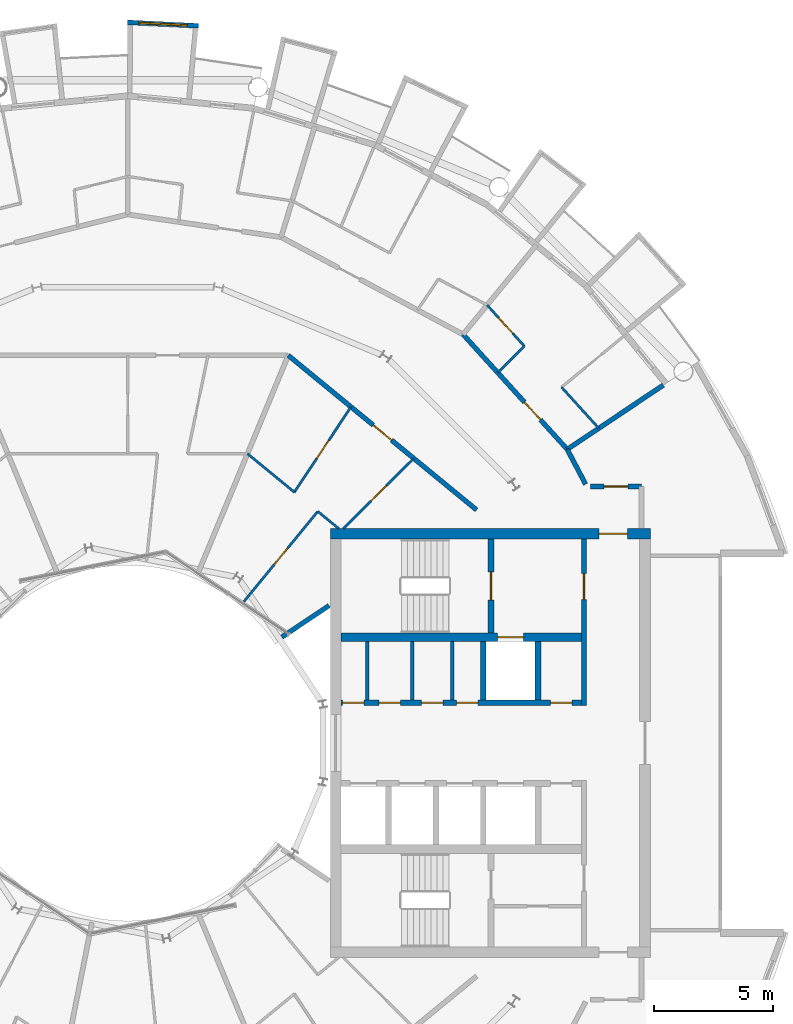
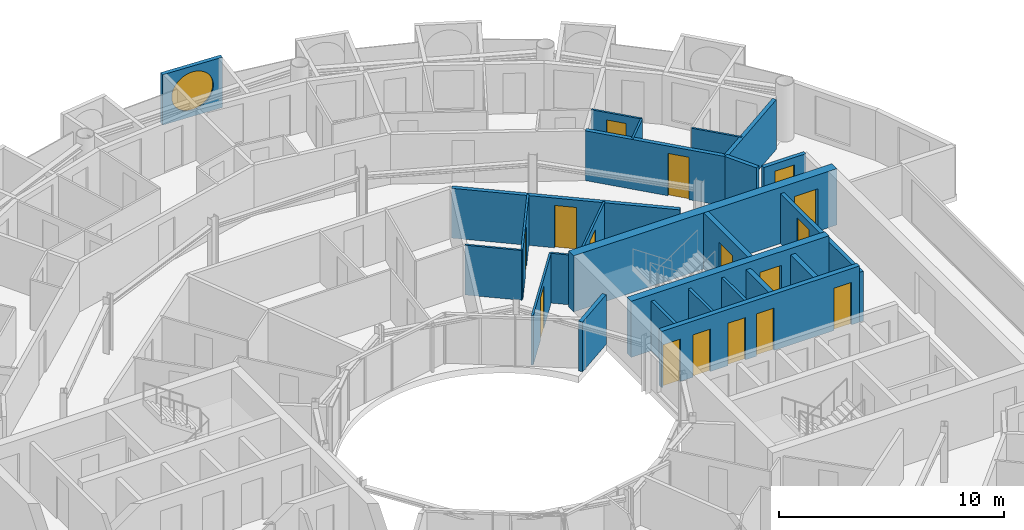
# One storey, part 23 of 29: 25 walls, 16 doors, 1 window, 17 openings.
"""IFC4 building model written with IfcOpenShell, lengths in metres."""

from ifc_helpers import new_model, si_unit, direction, frame, frame_2d, origin, place, context, subcontext, project, spatial, rectangle, circle, extrude, material, layer, layer_set, type_object, element, fill, save


model = new_model("IFC4")

# Units and contexts
model_context = context("Model", 3, precision=1e-05, world=origin(), true_north=direction((0.0, 1.0)))
body_context = subcontext(model_context, "Body", "Model", "MODEL_VIEW")
ifc_project = project(units=[si_unit("LENGTHUNIT", "METRE"), si_unit("AREAUNIT", "SQUARE_METRE"), si_unit("VOLUMEUNIT", "CUBIC_METRE"), si_unit("PLANEANGLEUNIT", "RADIAN"), si_unit("MASSUNIT", "GRAM", prefix="KILO")], contexts=[model_context])

# Site, building, storey
site_placement = place(None, origin())
site = spatial("IfcSite", under=ifc_project, at=site_placement, CompositionType="ELEMENT")
building_placement = place(site_placement, origin())
building = spatial("IfcBuilding", under=site, at=building_placement, Name="Maasbend Ring Residences", CompositionType="ELEMENT")
storey_placement = place(building_placement, frame((0.0, 0.0, 212.699951171875)))
storey = spatial("IfcBuildingStorey", under=building, at=storey_placement, Name="L61", CompositionType="ELEMENT", Elevation=212.699951171875)

# Wall, openings, doors
ifc_material_1 = material(Name="Concrete C50/60", Category="concrete")
ifc_layer_1 = layer(ifc_material_1, 0.25)
ifc_layer_set_1 = layer_set([ifc_layer_1], Name="Concrete C50/60")
wall_type_1 = type_object("IfcWallType", Name="CORE WALL 250 C50/60", PredefinedType="SHEAR", material=ifc_layer_set_1)
wall_1_placement = place(storey_placement, frame((9.0, 1.699951171875, 0.0), z_axis=(0.0, 0.0, 1.0), x_axis=(1.0, 0.0, 0.0)))
wall_1 = element("IfcWall", 1, at=wall_1_placement, inside=storey, type_object=wall_type_1, Name="L61 core E wall SPN", PredefinedType="SHEAR", context=body_context, shape_type="SweptSolid", body=[
    extrude(rectangle(XDim=10.14990234375, YDim=0.25, at=frame_2d((5.074951171875, 0.0))), origin(), (0.0, 0.0, 1.0), 3.050048828125),
])
opening_1_placement = place(wall_1_placement, frame((0.0625, 0.0, 0.0)))
opening_1 = element("IfcOpeningElement", 2, at=opening_1_placement, cuts=wall_1, Name="Opening D-E6106", PredefinedType="OPENING", context=body_context, shape_type="SweptSolid", body=[
    extrude(rectangle(XDim=0.89990234375, YDim=2.300048828125, at=frame_2d((0.449951171875, 1.14990234375))), frame((0.0, 0.135009765625, 0.0), z_axis=(0.0, -1.0, 0.0), x_axis=(1.0, 0.0, 0.0)), (0.0, 0.0, 1.0), 0.27001953125),
])
opening_2_placement = place(wall_1_placement, frame((1.60009765625, 0.0, 0.0)))
opening_2 = element("IfcOpeningElement", 3, at=opening_2_placement, cuts=wall_1, Name="Opening D-E6107", PredefinedType="OPENING", context=body_context, shape_type="SweptSolid", body=[
    extrude(rectangle(XDim=0.89990234375, YDim=2.300048828125, at=frame_2d((0.449951171875, 1.14990234375))), frame((0.0, 0.135009765625, 0.0), z_axis=(0.0, -1.0, 0.0), x_axis=(1.0, 0.0, 0.0)), (0.0, 0.0, 1.0), 0.27001953125),
])
opening_3_placement = place(wall_1_placement, frame((3.39990234375, 0.0, 0.0)))
opening_3 = element("IfcOpeningElement", 4, at=opening_3_placement, cuts=wall_1, Name="Opening D-E6108", PredefinedType="OPENING", context=body_context, shape_type="SweptSolid", body=[
    extrude(rectangle(XDim=0.89990234375, YDim=2.300048828125, at=frame_2d((0.449951171875, 1.14990234375))), frame((0.0, 0.135009765625, 0.0), z_axis=(0.0, -1.0, 0.0), x_axis=(1.0, 0.0, 0.0)), (0.0, 0.0, 1.0), 0.27001953125),
])
opening_4_placement = place(wall_1_placement, frame((4.875, 0.0, 0.0)))
opening_4 = element("IfcOpeningElement", 5, at=opening_4_placement, cuts=wall_1, Name="Opening D-E6109", PredefinedType="OPENING", context=body_context, shape_type="SweptSolid", body=[
    extrude(rectangle(XDim=0.89990234375, YDim=2.300048828125, at=frame_2d((0.449951171875, 1.14990234375))), frame((0.0, 0.135009765625, 0.0), z_axis=(0.0, -1.0, 0.0), x_axis=(1.0, 0.0, 0.0)), (0.0, 0.0, 1.0), 0.27001953125),
])
opening_5_placement = place(wall_1_placement, frame((8.83740234375, 0.0, 0.0)))
opening_5 = element("IfcOpeningElement", 6, at=opening_5_placement, cuts=wall_1, Name="Opening D-E6110", PredefinedType="OPENING", context=body_context, shape_type="SweptSolid", body=[
    extrude(rectangle(XDim=0.89990234375, YDim=2.300048828125, at=frame_2d((0.449951171875, 1.14990234375))), frame((0.0, 0.135009765625, 0.0), z_axis=(0.0, -1.0, 0.0), x_axis=(1.0, 0.0, 0.0)), (0.0, 0.0, 1.0), 0.27001953125),
])
ifc_material_2 = material(Name="Steel, powder coated", Category="steel")
door_type_1 = type_object("IfcDoorType", Name="ROOM DOOR 900 X 2300 FD30S", OperationType="NOTDEFINED", PredefinedType="DOOR", material=ifc_material_2)
door_1_placement = place(opening_1_placement, origin())
door_1 = element("IfcDoor", 7, at=door_1_placement, inside=storey, type_object=door_type_1, Name="Room door L61", OperationType="SINGLE_SWING_RIGHT", OverallHeight=2.300048828125, OverallWidth=0.89990234375, PredefinedType="DOOR", context=body_context, shape_type="SweptSolid", body=[
    extrude(rectangle(XDim=0.89990234375, YDim=2.300048828125, at=frame_2d((0.449951171875, 1.14990234375))), frame((0.0, 0.02490234375, 0.0), z_axis=(0.0, -1.0, 0.0), x_axis=(1.0, 0.0, 0.0)), (0.0, 0.0, 1.0), 0.050048828125),
])
fill(opening_1, door_1)
door_2_placement = place(opening_2_placement, origin())
door_2 = element("IfcDoor", 8, at=door_2_placement, inside=storey, type_object=door_type_1, Name="Room door L61", OperationType="SINGLE_SWING_RIGHT", OverallHeight=2.300048828125, OverallWidth=0.89990234375, PredefinedType="DOOR", context=body_context, shape_type="SweptSolid", body=[
    extrude(rectangle(XDim=0.89990234375, YDim=2.300048828125, at=frame_2d((0.449951171875, 1.14990234375))), frame((0.0, 0.02490234375, 0.0), z_axis=(0.0, -1.0, 0.0), x_axis=(1.0, 0.0, 0.0)), (0.0, 0.0, 1.0), 0.050048828125),
])
fill(opening_2, door_2)
door_3_placement = place(opening_3_placement, origin())
door_3 = element("IfcDoor", 9, at=door_3_placement, inside=storey, type_object=door_type_1, Name="Room door L61", OperationType="SINGLE_SWING_RIGHT", OverallHeight=2.300048828125, OverallWidth=0.89990234375, PredefinedType="DOOR", context=body_context, shape_type="SweptSolid", body=[
    extrude(rectangle(XDim=0.89990234375, YDim=2.300048828125, at=frame_2d((0.449951171875, 1.14990234375))), frame((0.0, 0.02490234375, 0.0), z_axis=(0.0, -1.0, 0.0), x_axis=(1.0, 0.0, 0.0)), (0.0, 0.0, 1.0), 0.050048828125),
])
fill(opening_3, door_3)
door_4_placement = place(opening_4_placement, origin())
door_4 = element("IfcDoor", 10, at=door_4_placement, inside=storey, type_object=door_type_1, Name="Room door L61", OperationType="SINGLE_SWING_LEFT", OverallHeight=2.300048828125, OverallWidth=0.89990234375, PredefinedType="DOOR", context=body_context, shape_type="SweptSolid", body=[
    extrude(rectangle(XDim=0.89990234375, YDim=2.300048828125, at=frame_2d((0.449951171875, 1.14990234375))), frame((0.0, 0.02490234375, 0.0), z_axis=(0.0, -1.0, 0.0), x_axis=(1.0, 0.0, 0.0)), (0.0, 0.0, 1.0), 0.050048828125),
])
fill(opening_4, door_4)
door_5_placement = place(opening_5_placement, origin())
door_5 = element("IfcDoor", 11, at=door_5_placement, inside=storey, type_object=door_type_1, Name="Room door L61", OperationType="SINGLE_SWING_LEFT", OverallHeight=2.300048828125, OverallWidth=0.89990234375, PredefinedType="DOOR", context=body_context, shape_type="SweptSolid", body=[
    extrude(rectangle(XDim=0.89990234375, YDim=2.300048828125, at=frame_2d((0.449951171875, 1.14990234375))), frame((0.0, 0.02490234375, 0.0), z_axis=(0.0, -1.0, 0.0), x_axis=(1.0, 0.0, 0.0)), (0.0, 0.0, 1.0), 0.050048828125),
])
fill(opening_5, door_5)

# Wall, opening, door
wall_2_placement = place(storey_placement, frame((15.324951171875, 4.64990234375, 0.0), z_axis=(0.0, 0.0, 1.0), x_axis=(0.0, 1.0, 0.0)))
wall_2 = element("IfcWall", 12, at=wall_2_placement, inside=storey, type_object=wall_type_1, Name="L61 core E wall STEN", PredefinedType="SHEAR", context=body_context, shape_type="SweptSolid", body=[
    extrude(rectangle(XDim=3.9501953125, YDim=0.25, at=frame_2d((1.97509765625, 0.0))), origin(), (0.0, 0.0, 1.0), 3.050048828125),
])
opening_6_placement = place(wall_2_placement, frame((1.375, 0.0, 0.0)))
opening_6 = element("IfcOpeningElement", 13, at=opening_6_placement, cuts=wall_2, Name="Opening D-E6113", PredefinedType="OPENING", context=body_context, shape_type="SweptSolid", body=[
    extrude(rectangle(XDim=1.199951171875, YDim=2.300048828125, at=frame_2d((0.60009765625, 1.14990234375))), frame((0.0, 0.135009765625, 0.0), z_axis=(0.0, -1.0, 0.0), x_axis=(1.0, 0.0, 0.0)), (0.0, 0.0, 1.0), 0.27001953125),
])
ifc_material_3 = material(Name="Steel, powder coated", Category="steel")
door_type_2 = type_object("IfcDoorType", Name="STAIR DOOR 1200 X 2300 FD60", OperationType="NOTDEFINED", PredefinedType="DOOR", material=ifc_material_3)
door_6_placement = place(opening_6_placement, origin())
door_6 = element("IfcDoor", 14, at=door_6_placement, inside=storey, type_object=door_type_2, Name="Stair door ST-E L61", OperationType="SINGLE_SWING_LEFT", OverallHeight=2.300048828125, OverallWidth=1.199951171875, PredefinedType="DOOR", context=body_context, shape_type="SweptSolid", body=[
    extrude(rectangle(XDim=1.199951171875, YDim=2.300048828125, at=frame_2d((0.60009765625, 1.14990234375))), frame((0.0, 0.02490234375, 0.0), z_axis=(0.0, -1.0, 0.0), x_axis=(1.0, 0.0, 0.0)), (0.0, 0.0, 1.0), 0.050048828125),
])
fill(opening_6, door_6)

ifc_material_4 = material(Name="Concrete C50/60", Category="concrete")
ifc_layer_2 = layer(ifc_material_4, 0.375)
ifc_layer_set_2 = layer_set([ifc_layer_2], Name="Concrete C50/60")
wall_type_2 = type_object("IfcWallType", Name="CORE WALL 375 C50/60", PredefinedType="SHEAR", material=ifc_layer_set_2)
wall_3_placement = place(storey_placement, frame((9.0, 4.46240234375, 0.0), z_axis=(0.0, 0.0, 1.0), x_axis=(1.0, 0.0, 0.0)))
wall_3 = element("IfcWall", 15, at=wall_3_placement, inside=storey, type_object=wall_type_2, Name="L61 core E wall BN", PredefinedType="SHEAR", context=body_context, shape_type="SweptSolid", body=[
    extrude(rectangle(XDim=10.14990234375, YDim=0.375, at=frame_2d((5.074951171875, 0.0))), origin(), (0.0, 0.0, 1.0), 3.050048828125),
])
opening_7_placement = place(wall_3_placement, frame((6.60009765625, 0.0, 0.0)))
opening_7 = element("IfcOpeningElement", 16, at=opening_7_placement, cuts=wall_3, Name="Opening LD-E6101", PredefinedType="OPENING", context=body_context, shape_type="SweptSolid", body=[
    extrude(rectangle(XDim=1.10009765625, YDim=2.300048828125, at=frame_2d((0.550048828125, 1.14990234375))), frame((0.0, 0.197509765625, 0.0), z_axis=(0.0, -1.0, 0.0), x_axis=(1.0, 0.0, 0.0)), (0.0, 0.0, 1.0), 0.39501953125),
])
ifc_material_5 = material(Name="Stainless steel 316", Category="steel")
door_type_3 = type_object("IfcDoorType", Name="LANDING DOOR 1100 X 2300 FD60", OperationType="DOUBLE_DOOR_SLIDING", PredefinedType="DOOR", material=ifc_material_5)
door_7_placement = place(opening_7_placement, origin())
door_7 = element("IfcDoor", 17, at=door_7_placement, inside=storey, type_object=door_type_3, Name="Landing door FF-E L61", OperationType="DOUBLE_DOOR_SLIDING", OverallHeight=2.300048828125, OverallWidth=1.10009765625, PredefinedType="DOOR", context=body_context, shape_type="SweptSolid", body=[
    extrude(rectangle(XDim=1.10009765625, YDim=2.300048828125, at=frame_2d((0.550048828125, 1.14990234375))), frame((0.0, 0.02490234375, 0.0), z_axis=(0.0, -1.0, 0.0), x_axis=(1.0, 0.0, 0.0)), (0.0, 0.0, 1.0), 0.050048828125),
])
fill(opening_7, door_7)

ifc_material_6 = material(Name="Concrete C50/60", Category="concrete")
ifc_layer_3 = layer(ifc_material_6, 0.449951171875)
ifc_layer_set_3 = layer_set([ifc_layer_3], Name="Concrete C50/60")
wall_type_3 = type_object("IfcWallType", Name="CORE WALL 450 C50/60", PredefinedType="SHEAR", material=ifc_layer_set_3)
wall_4_placement = place(storey_placement, frame((22.050048828125, 8.824951171875, 0.0), z_axis=(0.0, 0.0, 1.0), x_axis=(-1.0, 0.0, 0.0)))
wall_4 = element("IfcWall", 18, at=wall_4_placement, inside=storey, type_object=wall_type_3, Name="L61 core E wall PN", PredefinedType="SHEAR", context=body_context, shape_type="SweptSolid", body=[
    extrude(rectangle(XDim=13.5, YDim=0.449951171875, at=frame_2d((6.75, 0.0))), origin(), (0.0, 0.0, 1.0), 3.050048828125),
])
opening_8_placement = place(wall_4_placement, frame((0.97509765625, 0.0, 0.0)))
opening_8 = element("IfcOpeningElement", 19, at=opening_8_placement, cuts=wall_4, Name="Opening D-E6117", PredefinedType="OPENING", context=body_context, shape_type="SweptSolid", body=[
    extrude(rectangle(XDim=1.199951171875, YDim=2.300048828125, at=frame_2d((0.60009765625, 1.14990234375))), frame((0.0, 0.23486328125, 0.0), z_axis=(0.0, -1.0, 0.0), x_axis=(1.0, 0.0, 0.0)), (0.0, 0.0, 1.0), 0.469970703125),
])
ifc_material_7 = material(Name="Steel, powder coated", Category="steel")
door_type_4 = type_object("IfcDoorType", Name="CORRIDOR DOOR 1200 X 2300 FD30S", OperationType="NOTDEFINED", PredefinedType="DOOR", material=ifc_material_7)
door_8_placement = place(opening_8_placement, origin())
door_8 = element("IfcDoor", 20, at=door_8_placement, inside=storey, type_object=door_type_4, Name="Corridor door L61", OperationType="SINGLE_SWING_RIGHT", OverallHeight=2.300048828125, OverallWidth=1.199951171875, PredefinedType="DOOR", context=body_context, shape_type="SweptSolid", body=[
    extrude(rectangle(XDim=1.199951171875, YDim=2.300048828125, at=frame_2d((0.60009765625, 1.14990234375))), frame((0.0, 0.02490234375, 0.0), z_axis=(0.0, -1.0, 0.0), x_axis=(1.0, 0.0, 0.0)), (0.0, 0.0, 1.0), 0.050048828125),
])
fill(opening_8, door_8)

ifc_material_8 = material(Name="Concrete C30/37", Category="concrete")
ifc_layer_4 = layer(ifc_material_8, 0.199951171875)
ifc_layer_set_4 = layer_set([ifc_layer_4], Name="Concrete C30/37")
wall_type_4 = type_object("IfcWallType", Name="CORRIDOR WALL 200 CONCRETE", PredefinedType="PARTITIONING", material=ifc_layer_set_4)
wall_5_placement = place(storey_placement, frame((19.52294921875, 10.824951171875, 0.0), z_axis=(0.0, 0.0, 1.0), x_axis=(1.0, 0.0, 0.0)))
wall_5 = element("IfcWall", 21, at=wall_5_placement, inside=storey, type_object=wall_type_4, Name="U-L61-w100", PredefinedType="PARTITIONING", context=body_context, shape_type="SweptSolid", body=[
    extrude(rectangle(XDim=2.152099609375, YDim=0.199951171875, at=frame_2d((1.076171875, 0.0))), origin(), (0.0, 0.0, 1.0), 2.699951171875),
])
opening_9_placement = place(wall_5_placement, frame((0.575927734375, 0.0, 0.0)))
opening_9 = element("IfcOpeningElement", 22, at=opening_9_placement, cuts=wall_5, Name="Opening D-6171", PredefinedType="OPENING", context=body_context, shape_type="SweptSolid", body=[
    extrude(rectangle(XDim=1.0, YDim=2.300048828125, at=frame_2d((0.5, 1.14990234375))), frame((0.0, 0.10986328125, 0.0), z_axis=(0.0, -1.0, 0.0), x_axis=(1.0, 0.0, 0.0)), (0.0, 0.0, 1.0), 0.219970703125),
])
ifc_material_9 = material(Name="Timber, painted", Category="wood")
door_type_5 = type_object("IfcDoorType", Name="ROOM DOOR 1000 X 2300", OperationType="NOTDEFINED", PredefinedType="DOOR", material=ifc_material_9)
door_9_placement = place(opening_9_placement, origin())
door_9 = element("IfcDoor", 23, at=door_9_placement, inside=storey, type_object=door_type_5, Name="D-6171", OperationType="SINGLE_SWING_LEFT", OverallHeight=2.300048828125, OverallWidth=1.0, PredefinedType="DOOR", context=body_context, shape_type="SweptSolid", body=[
    extrude(rectangle(XDim=1.0, YDim=2.300048828125, at=frame_2d((0.5, 1.14990234375))), frame((0.0, 0.02490234375, 0.0), z_axis=(0.0, -1.0, 0.0), x_axis=(1.0, 0.0, 0.0)), (0.0, 0.0, 1.0), 0.050048828125),
])
fill(opening_9, door_9)

wall_6_placement = place(storey_placement, frame((6.77294921875, 16.35302734375, 0.0), z_axis=(0.0, 0.0, 1.0), x_axis=(0.773034536097, -0.634363938131, 0.0)))
wall_6 = element("IfcWall", 24, at=wall_6_placement, inside=storey, type_object=wall_type_4, Name="U-L61-w109", PredefinedType="PARTITIONING", context=body_context, shape_type="SweptSolid", body=[
    extrude(rectangle(XDim=10.276611328125, YDim=0.199951171875, at=frame_2d((5.13818359375, 0.0))), origin(), (0.0, 0.0, 1.0), 2.699951171875),
])
opening_10_placement = place(wall_6_placement, frame((4.637939453125, 0.0, 0.0)))
opening_10 = element("IfcOpeningElement", 25, at=opening_10_placement, cuts=wall_6, Name="Opening D-6123", PredefinedType="OPENING", context=body_context, shape_type="SweptSolid", body=[
    extrude(rectangle(XDim=1.0, YDim=2.300048828125, at=frame_2d((0.5, 1.14990234375))), frame((0.0, 0.10986328125, 0.0), z_axis=(0.0, -1.0, 0.0), x_axis=(1.0, 0.0, 0.0)), (0.0, 0.0, 1.0), 0.219970703125),
])
ifc_material_10 = material(Name="Timber, fire-rated, painted", Category="wood")
door_type_6 = type_object("IfcDoorType", Name="FLAT ENTRANCE DOOR 1000 X 2300 FIRE-RATED", OperationType="NOTDEFINED", PredefinedType="DOOR", material=ifc_material_10)
door_10_placement = place(opening_10_placement, origin())
door_10 = element("IfcDoor", 26, at=door_10_placement, inside=storey, type_object=door_type_6, Name="D-6123", OperationType="SINGLE_SWING_RIGHT", OverallHeight=2.300048828125, OverallWidth=1.0, PredefinedType="DOOR", context=body_context, shape_type="SweptSolid", body=[
    extrude(rectangle(XDim=1.0, YDim=2.300048828125, at=frame_2d((0.5, 1.14990234375))), frame((0.0, 0.02490234375, 0.0), z_axis=(0.0, -1.0, 0.0), x_axis=(1.0, 0.0, 0.0)), (0.0, 0.0, 1.0), 0.050048828125),
])
fill(opening_10, door_10)

wall_7_placement = place(storey_placement, frame((14.14697265625, 17.238037109375, 0.0), z_axis=(0.0, 0.0, 1.0), x_axis=(0.671561669125, -0.740948665268, 0.0)))
wall_7 = element("IfcWall", 27, at=wall_7_placement, inside=storey, type_object=wall_type_4, Name="U-L61-w116", PredefinedType="PARTITIONING", context=body_context, shape_type="SweptSolid", body=[
    extrude(rectangle(XDim=6.54443359375, YDim=0.199951171875, at=frame_2d((3.272216796875, 0.0))), origin(), (0.0, 0.0, 1.0), 2.699951171875),
])
opening_11_placement = place(wall_7_placement, frame((3.862060546875, 0.0, 0.0)))
opening_11 = element("IfcOpeningElement", 28, at=opening_11_placement, cuts=wall_7, Name="Opening D-6101", PredefinedType="OPENING", context=body_context, shape_type="SweptSolid", body=[
    extrude(rectangle(XDim=1.0, YDim=2.300048828125, at=frame_2d((0.5, 1.14990234375))), frame((0.0, 0.10986328125, 0.0), z_axis=(0.0, -1.0, 0.0), x_axis=(1.0, 0.0, 0.0)), (0.0, 0.0, 1.0), 0.219970703125),
])
door_11_placement = place(opening_11_placement, origin())
door_11 = element("IfcDoor", 29, at=door_11_placement, inside=storey, type_object=door_type_6, Name="D-6101", OperationType="SINGLE_SWING_RIGHT", OverallHeight=2.300048828125, OverallWidth=1.0, PredefinedType="DOOR", context=body_context, shape_type="SweptSolid", body=[
    extrude(rectangle(XDim=1.0, YDim=2.300048828125, at=frame_2d((0.5, 1.14990234375))), frame((0.0, 0.02490234375, 0.0), z_axis=(0.0, -1.0, 0.0), x_axis=(1.0, 0.0, 0.0)), (0.0, 0.0, 1.0), 0.050048828125),
])
fill(opening_11, door_11)

# Wall
wall_8_placement = place(storey_placement, frame((18.5419921875, 12.388916015625, 0.0), z_axis=(0.0, 0.0, 1.0), x_axis=(0.465359652486, -0.885121683068, 0.0)))
element("IfcWall", 30, at=wall_8_placement, inside=storey, type_object=wall_type_4, Name="U-L61-w118", PredefinedType="PARTITIONING", context=body_context, shape_type="SweptSolid", body=[
    extrude(rectangle(XDim=1.665283203125, YDim=0.199951171875, at=frame_2d((0.83251953125, 0.0))), origin(), (0.0, 0.0, 1.0), 2.699951171875),
])

# Wall, opening, window
ifc_material_11 = material(Name="Pale anodised aluminium panel", Category="aluminium")
ifc_layer_5 = layer(ifc_material_11, 0.199951171875)
ifc_layer_set_5 = layer_set([ifc_layer_5], Name="EW-BOX")
wall_type_5 = type_object("IfcWallType", Name="EW-BOX", PredefinedType="SOLIDWALL", material=ifc_layer_set_5)
wall_9_placement = place(storey_placement, frame((2.985107421875, 30.2529296875, -0.030029296875), z_axis=(0.0, 0.0, 1.0), x_axis=(-0.998794083011, 0.049095618353, 0.0)))
wall_9 = element("IfcWall", 31, at=wall_9_placement, inside=storey, type_object=wall_type_5, Name="Box front N10", PredefinedType="SOLIDWALL", context=body_context, shape_type="SweptSolid", body=[
    extrude(rectangle(XDim=2.99365234375, YDim=0.199951171875, at=frame_2d((1.496826171875, 0.0))), origin(), (0.0, 0.0, 1.0), 2.72998046875),
])
opening_12_placement = place(wall_9_placement, frame((0.45654296875, 0.0, 0.330078125)))
opening_12 = element("IfcOpeningElement", 32, at=opening_12_placement, cuts=wall_9, Name="Opening W-RD", PredefinedType="OPENING", context=body_context, shape_type="SweptSolid", body=[
    extrude(circle(Radius=1.0400390625, at=frame_2d((1.0400390625, 1.0400390625))), frame((0.0, 0.10986328125, 0.0), z_axis=(0.0, -1.0, 0.0), x_axis=(1.0, 0.0, 0.0)), (0.0, 0.0, 1.0), 0.219970703125),
])
ifc_material_12 = material(Name="Aluminium and clear glass", Category="aluminium")
window_type = type_object("IfcWindowType", Name="W-RD", PartitioningType="SINGLE_PANEL", PredefinedType="WINDOW", material=ifc_material_12)
window_placement = place(opening_12_placement, origin())
window = element("IfcWindow", 33, at=window_placement, inside=storey, type_object=window_type, Name="Round window N10", OverallHeight=2.080078125, OverallWidth=2.080078125, PartitioningType="SINGLE_PANEL", PredefinedType="WINDOW", context=body_context, shape_type="SweptSolid", body=[
    extrude(circle(Radius=1.0400390625, at=frame_2d((1.0400390625, 1.0400390625))), frame((0.0, 0.030029296875, 0.0), z_axis=(0.0, -1.0, 0.0), x_axis=(1.0, 0.0, 0.0)), (0.0, 0.0, 1.0), 0.06005859375),
])
fill(opening_12, window)

# Wall, opening, door
ifc_material_13 = material(Name="Gypsum board on steel studs", Category="steel")
ifc_layer_6 = layer(ifc_material_13, 0.10009765625)
ifc_layer_set_6 = layer_set([ifc_layer_6], Name="PARTITION 100 GYPSUM")
wall_type_6 = type_object("IfcWallType", Name="PARTITION 100 GYPSUM", PredefinedType="PARTITIONING", material=ifc_layer_set_6)
wall_10_placement = place(storey_placement, frame((4.90087890625, 5.966064453125, 0.0), z_axis=(0.0, 0.0, 1.0), x_axis=(0.633851064378, 0.773455123577, 0.0)))
wall_10 = element("IfcWall", 34, at=wall_10_placement, inside=storey, type_object=wall_type_6, Name="U-L61-w036", PredefinedType="PARTITIONING", context=body_context, shape_type="SweptSolid", body=[
    extrude(rectangle(XDim=4.91943359375, YDim=0.10009765625, at=frame_2d((2.459716796875, 0.0))), origin(), (0.0, 0.0, 1.0), 2.699951171875),
])
opening_13_placement = place(wall_10_placement, frame((2.009033203125, 0.0, 0.0)))
opening_13 = element("IfcOpeningElement", 35, at=opening_13_placement, cuts=wall_10, Name="Opening D-6126", PredefinedType="OPENING", context=body_context, shape_type="SweptSolid", body=[
    extrude(rectangle(XDim=0.89990234375, YDim=2.300048828125, at=frame_2d((0.449951171875, 1.14990234375))), frame((0.0, 0.06005859375, 0.0), z_axis=(0.0, -1.0, 0.0), x_axis=(1.0, 0.0, 0.0)), (0.0, 0.0, 1.0), 0.1201171875),
])
ifc_material_14 = material(Name="Timber, painted", Category="wood")
door_type_7 = type_object("IfcDoorType", Name="INTERNAL DOOR 900 X 2300", OperationType="NOTDEFINED", PredefinedType="DOOR", material=ifc_material_14)
door_12_placement = place(opening_13_placement, origin())
door_12 = element("IfcDoor", 36, at=door_12_placement, inside=storey, type_object=door_type_7, Name="D-6126", OperationType="SINGLE_SWING_LEFT", OverallHeight=2.300048828125, OverallWidth=0.89990234375, PredefinedType="DOOR", context=body_context, shape_type="SweptSolid", body=[
    extrude(rectangle(XDim=0.89990234375, YDim=2.300048828125, at=frame_2d((0.449951171875, 1.14990234375))), frame((0.0, 0.02490234375, 0.0), z_axis=(0.0, -1.0, 0.0), x_axis=(1.0, 0.0, 0.0)), (0.0, 0.0, 1.0), 0.050048828125),
])
fill(opening_13, door_12)

wall_11_placement = place(storey_placement, frame((7.031005859375, 10.58203125, 0.0), z_axis=(0.0, 0.0, 1.0), x_axis=(0.553303732327, 0.832979579457, 0.0)))
wall_11 = element("IfcWall", 37, at=wall_11_placement, inside=storey, type_object=wall_type_6, Name="U-L61-w081", PredefinedType="PARTITIONING", context=body_context, shape_type="SweptSolid", body=[
    extrude(rectangle(XDim=4.3193359375, YDim=0.10009765625, at=frame_2d((2.15966796875, 0.0))), origin(), (0.0, 0.0, 1.0), 2.699951171875),
])
opening_14_placement = place(wall_11_placement, frame((1.7099609375, 0.0, 0.0)))
opening_14 = element("IfcOpeningElement", 38, at=opening_14_placement, cuts=wall_11, Name="Opening D-6124", PredefinedType="OPENING", context=body_context, shape_type="SweptSolid", body=[
    extrude(rectangle(XDim=0.89990234375, YDim=2.300048828125, at=frame_2d((0.449951171875, 1.14990234375))), frame((0.0, 0.06005859375, 0.0), z_axis=(0.0, -1.0, 0.0), x_axis=(1.0, 0.0, 0.0)), (0.0, 0.0, 1.0), 0.1201171875),
])
door_13_placement = place(opening_14_placement, origin())
door_13 = element("IfcDoor", 39, at=door_13_placement, inside=storey, type_object=door_type_7, Name="D-6124", OperationType="SINGLE_SWING_LEFT", OverallHeight=2.300048828125, OverallWidth=0.89990234375, PredefinedType="DOOR", context=body_context, shape_type="SweptSolid", body=[
    extrude(rectangle(XDim=0.89990234375, YDim=2.300048828125, at=frame_2d((0.449951171875, 1.14990234375))), frame((0.0, 0.02490234375, 0.0), z_axis=(0.0, -1.0, 0.0), x_axis=(1.0, 0.0, 0.0)), (0.0, 0.0, 1.0), 0.050048828125),
])
fill(opening_14, door_13)

wall_12_placement = place(storey_placement, frame((9.096923828125, 9.050048828125, 0.0), z_axis=(0.0, 0.0, 1.0), x_axis=(0.708909651863, 0.705299302067, 0.0)))
wall_12 = element("IfcWall", 40, at=wall_12_placement, inside=storey, type_object=wall_type_6, Name="U-L61-w085", PredefinedType="PARTITIONING", context=body_context, shape_type="SweptSolid", body=[
    extrude(rectangle(XDim=4.192626953125, YDim=0.10009765625, at=frame_2d((2.09619140625, 0.0))), origin(), (0.0, 0.0, 1.0), 2.699951171875),
])
opening_15_placement = place(wall_12_placement, frame((1.64599609375, 0.0, 0.0)))
opening_15 = element("IfcOpeningElement", 41, at=opening_15_placement, cuts=wall_12, Name="Opening D-6125", PredefinedType="OPENING", context=body_context, shape_type="SweptSolid", body=[
    extrude(rectangle(XDim=0.89990234375, YDim=2.300048828125, at=frame_2d((0.449951171875, 1.14990234375))), frame((0.0, 0.06005859375, 0.0), z_axis=(0.0, -1.0, 0.0), x_axis=(1.0, 0.0, 0.0)), (0.0, 0.0, 1.0), 0.1201171875),
])
door_14_placement = place(opening_15_placement, origin())
door_14 = element("IfcDoor", 42, at=door_14_placement, inside=storey, type_object=door_type_7, Name="D-6125", OperationType="SINGLE_SWING_RIGHT", OverallHeight=2.300048828125, OverallWidth=0.89990234375, PredefinedType="DOOR", context=body_context, shape_type="SweptSolid", body=[
    extrude(rectangle(XDim=0.89990234375, YDim=2.300048828125, at=frame_2d((0.449951171875, 1.14990234375))), frame((0.0, 0.02490234375, 0.0), z_axis=(0.0, -1.0, 0.0), x_axis=(1.0, 0.0, 0.0)), (0.0, 0.0, 1.0), 0.050048828125),
])
fill(opening_15, door_14)

# Walls
wall_13_placement = place(storey_placement, frame((15.612060546875, 15.6220703125, 0.0), z_axis=(0.0, 0.0, 1.0), x_axis=(0.70679853939, 0.707414888673, 0.0)))
element("IfcWall", 43, at=wall_13_placement, inside=storey, type_object=wall_type_6, Name="U-L61-w092", PredefinedType="PARTITIONING", context=body_context, shape_type="SweptSolid", body=[
    extrude(rectangle(XDim=1.58447265625, YDim=0.10009765625, at=frame_2d((0.792236328125, 0.0))), origin(), (0.0, 0.0, 1.0), 2.699951171875),
])
wall_14_placement = place(storey_placement, frame((5.056884765625, 12.202880859375, 0.0), z_axis=(0.0, 0.0, 1.0), x_axis=(0.772990508216, -0.634417586617, 0.0)))
element("IfcWall", 44, at=wall_14_placement, inside=storey, type_object=wall_type_6, Name="U-L61-w105", PredefinedType="PARTITIONING", context=body_context, shape_type="SweptSolid", body=[
    extrude(rectangle(XDim=2.556396484375, YDim=0.10009765625, at=frame_2d((1.2783203125, 0.0))), origin(), (0.0, 0.0, 1.0), 2.699951171875),
])
wall_15_placement = place(storey_placement, frame((8.01904296875, 9.77099609375, 0.0), z_axis=(0.0, 0.0, 1.0), x_axis=(0.772842270779, -0.63459815986, 0.0)))
element("IfcWall", 45, at=wall_15_placement, inside=storey, type_object=wall_type_6, Name="U-L61-w106", PredefinedType="PARTITIONING", context=body_context, shape_type="SweptSolid", body=[
    extrude(rectangle(XDim=1.142578125, YDim=0.10009765625, at=frame_2d((0.5712890625, 0.0))), origin(), (0.0, 0.0, 1.0), 2.699951171875),
])

# Wall, opening, door
wall_16_placement = place(storey_placement, frame((15.162109375, 18.47509765625, 0.0), z_axis=(0.0, 0.0, 1.0), x_axis=(0.671528384412, -0.740978831634, 0.0)))
wall_16 = element("IfcWall", 46, at=wall_16_placement, inside=storey, type_object=wall_type_6, Name="U-L61-w127", PredefinedType="PARTITIONING", context=body_context, shape_type="SweptSolid", body=[
    extrude(rectangle(XDim=2.337646484375, YDim=0.10009765625, at=frame_2d((1.1689453125, 0.0))), origin(), (0.0, 0.0, 1.0), 2.699951171875),
])
opening_16_placement = place(wall_16_placement, frame((0.718994140625, 0.0, 0.0)))
opening_16 = element("IfcOpeningElement", 47, at=opening_16_placement, cuts=wall_16, Name="Opening D-6102", PredefinedType="OPENING", context=body_context, shape_type="SweptSolid", body=[
    extrude(rectangle(XDim=0.89990234375, YDim=2.300048828125, at=frame_2d((0.449951171875, 1.14990234375))), frame((0.0, 0.06005859375, 0.0), z_axis=(0.0, -1.0, 0.0), x_axis=(1.0, 0.0, 0.0)), (0.0, 0.0, 1.0), 0.1201171875),
])
door_15_placement = place(opening_16_placement, origin())
door_15 = element("IfcDoor", 48, at=door_15_placement, inside=storey, type_object=door_type_7, Name="D-6102", OperationType="SINGLE_SWING_LEFT", OverallHeight=2.300048828125, OverallWidth=0.89990234375, PredefinedType="DOOR", context=body_context, shape_type="SweptSolid", body=[
    extrude(rectangle(XDim=0.89990234375, YDim=2.300048828125, at=frame_2d((0.449951171875, 1.14990234375))), frame((0.0, 0.02490234375, 0.0), z_axis=(0.0, -1.0, 0.0), x_axis=(1.0, 0.0, 0.0)), (0.0, 0.0, 1.0), 0.050048828125),
])
fill(opening_16, door_15)

# Walls
wall_17_placement = place(storey_placement, frame((18.302001953125, 15.010009765625, 0.0), z_axis=(0.0, 0.0, 1.0), x_axis=(0.671637685376, -0.740879760544, 0.0)))
element("IfcWall", 49, at=wall_17_placement, inside=storey, type_object=wall_type_6, Name="U-L61-w128", PredefinedType="PARTITIONING", context=body_context, shape_type="SweptSolid", body=[
    extrude(rectangle(XDim=2.337646484375, YDim=0.10009765625, at=frame_2d((1.1689453125, 0.0))), origin(), (0.0, 0.0, 1.0), 2.699951171875),
])
ifc_material_15 = material(Name="Gypsum board on steel studs", Category="steel")
ifc_layer_7 = layer(ifc_material_15, 0.14990234375)
ifc_layer_set_7 = layer_set([ifc_layer_7], Name="PARTITION 150 EI 60")
wall_type_7 = type_object("IfcWallType", Name="PARTITION 150 EI 60", PredefinedType="PARTITIONING", material=ifc_layer_set_7)
for number, where, z_axis, x_axis, name in (
    (50, (10.10009765625, 1.824951171875, 0.0), (0.0, 0.0, 1.0), (0.0, 1.0, 0.0), "L61 core E wall PRN1010"),
    (51, (12.0, 1.824951171875, 0.0), (0.0, 0.0, 1.0), (0.0, 1.0, 0.0), "L61 core E wall PRN1200"),
    (52, (13.699951171875, 1.824951171875, 0.0), (0.0, 0.0, 1.0), (0.0, 1.0, 0.0), "L61 core E wall PRN1370"),
):
    element("IfcWall", number, at=place(storey_placement, frame(where, z_axis=z_axis, x_axis=x_axis)), inside=storey, type_object=wall_type_7, Name=name, PredefinedType="PARTITIONING", context=body_context, shape_type="SweptSolid", body=[
        extrude(rectangle(XDim=2.449951171875, YDim=0.14990234375, at=frame_2d((1.22509765625, 0.0))), origin(), (0.0, 0.0, 1.0), 2.699951171875),
    ])
ifc_material_16 = material(Name="Concrete C30/37", Category="concrete")
ifc_layer_8 = layer(ifc_material_16, 0.199951171875)
ifc_layer_set_8 = layer_set([ifc_layer_8], Name="Concrete C30/37")
wall_type_8 = type_object("IfcWallType", Name="PARTY WALL 200 CONCRETE", PredefinedType="PARTITIONING", material=ifc_layer_set_8)
wall_18_placement = place(storey_placement, frame((18.5419921875, 12.388916015625, 0.0), z_axis=(0.0, 0.0, 1.0), x_axis=(0.831387096605, 0.55569370664, 0.0)))
element("IfcWall", 53, at=wall_18_placement, inside=storey, type_object=wall_type_8, Name="U-L61-w096", PredefinedType="PARTITIONING", context=body_context, shape_type="SweptSolid", body=[
    extrude(rectangle(XDim=4.875, YDim=0.199951171875, at=frame_2d((2.4375, 0.0))), origin(), (0.0, 0.0, 1.0), 2.699951171875),
])
wall_19_placement = place(storey_placement, frame((6.512939453125, 4.471923828125, 0.0), z_axis=(0.0, 0.0, 1.0), x_axis=(0.831403409976, 0.555669299026, 0.0)))
element("IfcWall", 54, at=wall_19_placement, inside=storey, type_object=wall_type_8, Name="U-L61-w098", PredefinedType="PARTITIONING", context=body_context, shape_type="SweptSolid", body=[
    extrude(rectangle(XDim=2.382568359375, YDim=0.199951171875, at=frame_2d((1.19140625, 0.0))), origin(), (0.0, 0.0, 1.0), 2.699951171875),
])

# Wall, opening, door
ifc_material_17 = material(Name="Concrete C30/37", Category="concrete")
ifc_layer_9 = layer(ifc_material_17, 0.199951171875)
ifc_layer_set_9 = layer_set([ifc_layer_9], Name="Concrete C30/37")
wall_type_9 = type_object("IfcWallType", Name="SHAFT WALL 200 EI 120", PredefinedType="SOLIDWALL", material=ifc_layer_set_9)
wall_20_placement = place(storey_placement, frame((19.25, 1.574951171875, 0.0), z_axis=(0.0, 0.0, 1.0), x_axis=(0.0, 1.0, 0.0)))
wall_20 = element("IfcWall", 55, at=wall_20_placement, inside=storey, type_object=wall_type_9, Name="L61 core E wall ENDN", PredefinedType="SOLIDWALL", context=body_context, shape_type="SweptSolid", body=[
    extrude(rectangle(XDim=7.025146484375, YDim=0.199951171875, at=frame_2d((3.5126953125, 0.0))), origin(), (0.0, 0.0, 1.0), 2.699951171875),
])
opening_17_placement = place(wall_20_placement, frame((4.47509765625, 0.0, 0.0)))
opening_17 = element("IfcOpeningElement", 56, at=opening_17_placement, cuts=wall_20, Name="Opening D-E6115", PredefinedType="OPENING", context=body_context, shape_type="SweptSolid", body=[
    extrude(rectangle(XDim=1.10009765625, YDim=2.300048828125, at=frame_2d((0.550048828125, 1.14990234375))), frame((0.0, 0.10986328125, 0.0), z_axis=(0.0, -1.0, 0.0), x_axis=(1.0, 0.0, 0.0)), (0.0, 0.0, 1.0), 0.219970703125),
])
ifc_material_18 = material(Name="Steel, powder coated", Category="steel")
door_type_8 = type_object("IfcDoorType", Name="LOBBY DOOR 1100 X 2300 FD60", OperationType="NOTDEFINED", PredefinedType="DOOR", material=ifc_material_18)
door_16_placement = place(opening_17_placement, origin())
door_16 = element("IfcDoor", 57, at=door_16_placement, inside=storey, type_object=door_type_8, Name="Lobby door L61", OperationType="SINGLE_SWING_LEFT", OverallHeight=2.300048828125, OverallWidth=1.10009765625, PredefinedType="DOOR", context=body_context, shape_type="SweptSolid", body=[
    extrude(rectangle(XDim=1.10009765625, YDim=2.300048828125, at=frame_2d((0.550048828125, 1.14990234375))), frame((0.0, 0.02490234375, 0.0), z_axis=(0.0, -1.0, 0.0), x_axis=(1.0, 0.0, 0.0)), (0.0, 0.0, 1.0), 0.050048828125),
])
fill(opening_17, door_16)

# Walls
ifc_material_19 = material(Name="Concrete C30/37", Category="concrete")
ifc_layer_10 = layer(ifc_material_19, 0.25)
ifc_layer_set_10 = layer_set([ifc_layer_10], Name="Concrete C30/37")
wall_type_10 = type_object("IfcWallType", Name="SHAFT WALL 250 EI 120", PredefinedType="SOLIDWALL", material=ifc_layer_set_10)
for number, where, z_axis, x_axis, name in (
    (58, (15.0, 1.824951171875, 0.0), (0.0, 0.0, 1.0), (0.0, 1.0, 0.0), "L61 core E wall D150N"),
    (59, (17.300048828125, 1.824951171875, 0.0), (0.0, 0.0, 1.0), (0.0, 1.0, 0.0), "L61 core E wall D173N"),
):
    element("IfcWall", number, at=place(storey_placement, frame(where, z_axis=z_axis, x_axis=x_axis)), inside=storey, type_object=wall_type_10, Name=name, PredefinedType="SOLIDWALL", context=body_context, shape_type="SweptSolid", body=[
        extrude(rectangle(XDim=2.449951171875, YDim=0.25, at=frame_2d((1.22509765625, 0.0))), origin(), (0.0, 0.0, 1.0), 2.699951171875),
    ])

save(model, "model.ifc")
